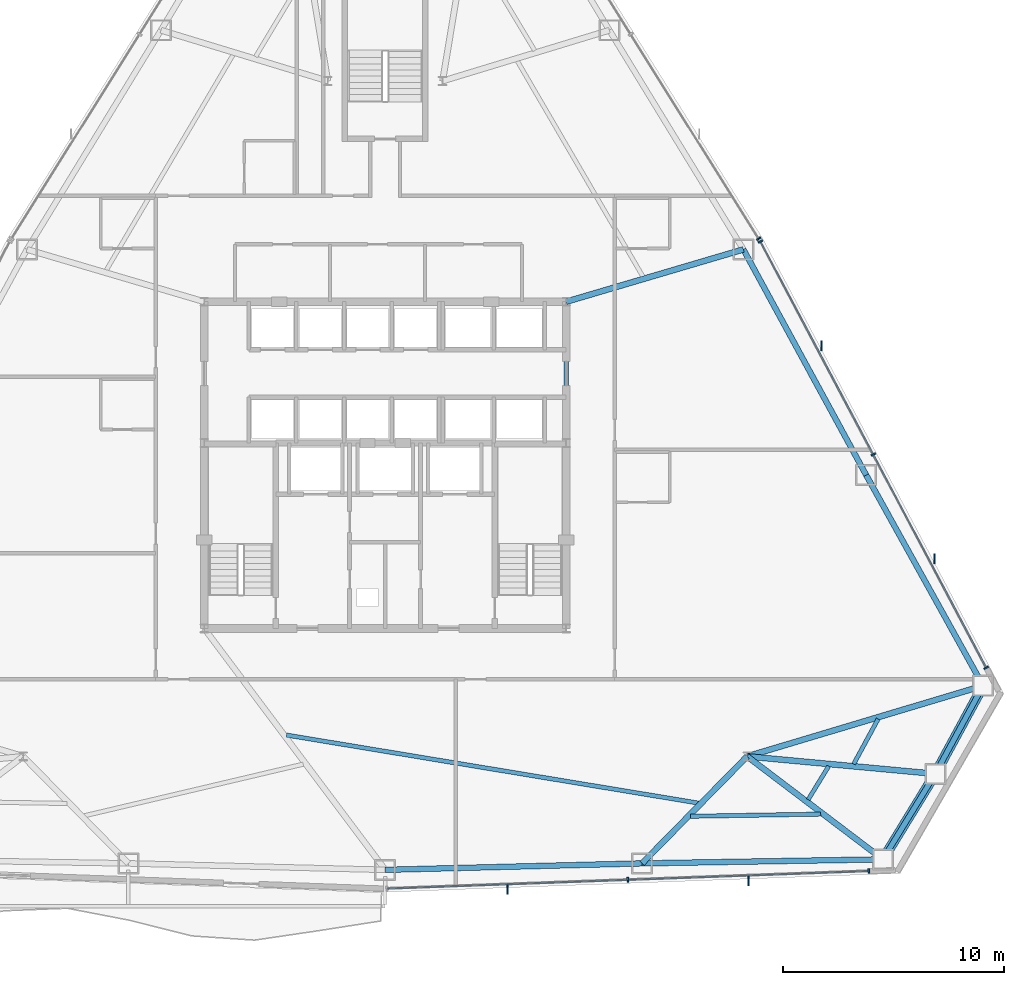
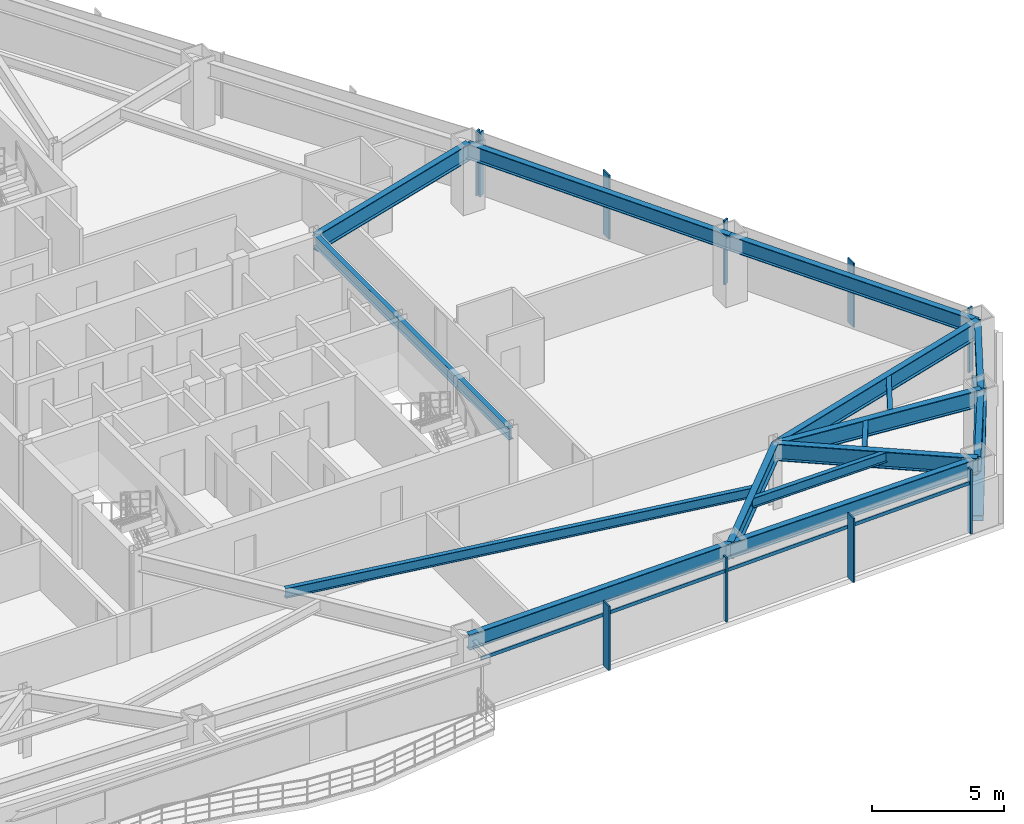
# One storey, part 6 of 13: 16 beams, 14 members, 3 elements without a shape of their own.
"""IFC4 building model written with IfcOpenShell, lengths in metres."""

from ifc_helpers import new_model, si_unit, direction, frame, origin, origin_2d, place, context, subcontext, project, spatial, rectangle, hollow_rectangle, i_section, extrude, source, transform, mapped, material, layer, layer_set, material_profile, profile_set, type_object, type_shapes, element, aggregate, save


model = new_model("IFC4")

# Units and contexts
model_context = context("Model", 3, precision=1e-05, world=origin(), true_north=direction((0.0, 1.0)))
body_context = subcontext(model_context, "Body", "Model", "MODEL_VIEW")
ifc_project = project(units=[si_unit("LENGTHUNIT", "METRE"), si_unit("AREAUNIT", "SQUARE_METRE"), si_unit("VOLUMEUNIT", "CUBIC_METRE"), si_unit("PLANEANGLEUNIT", "RADIAN"), si_unit("MASSUNIT", "GRAM", prefix="KILO")], contexts=[model_context])

# Site, building, storey
site_placement = place(None, origin())
site = spatial("IfcSite", under=ifc_project, at=site_placement, CompositionType="ELEMENT")
building_placement = place(site_placement, origin())
building = spatial("IfcBuilding", under=site, at=building_placement, Name="Varakhsha Concourse Tower", CompositionType="ELEMENT")
storey_placement = place(building_placement, frame((0.0, 0.0, 99.0)))
storey = spatial("IfcBuildingStorey", under=building, at=storey_placement, Name="L28", CompositionType="ELEMENT", Elevation=99.0)

# Beams
ifc_material_1 = material(Name="Structural Steel ASTM A992 Grade 50", Category="steel")
ifc_material_profile_1 = material_profile(ifc_material_1, i_section(OverallWidth=0.26611328125, OverallDepth=0.779052734375, WebThickness=0.01708984375, FlangeThickness=0.030029296875, at=origin_2d()), Name="W30X148")
ifc_profile_set_1 = profile_set([ifc_material_profile_1], Name="Structural Steel ASTM A992 Grade 50")
beam_type_1 = type_object("IfcBeamType", Name="BM-BASE-W30X148", PredefinedType="USERDEFINED", material=ifc_profile_set_1)
beam_1_placement = place(storey_placement, frame((56.39990234375, 10.60009765625, 2.58056640625), z_axis=(-0.701063539326, -0.713098810704, 0.0), x_axis=(0.713098810704, -0.701063539326, 0.0)))
element("IfcBeam", 1, at=beam_1_placement, inside=storey, type_object=beam_type_1, Name="L28 Radial Floor Girder 12", ObjectType="GIRDER", PredefinedType="USERDEFINED", context=body_context, shape_type="SweptSolid", body=[
    extrude(i_section(OverallWidth=0.26611328125, OverallDepth=0.779052734375, WebThickness=0.01708984375, FlangeThickness=0.030029296875, at=origin_2d()), origin(), (0.0, 0.0, 1.0), 6.795654296875),
])
beam_2_placement = place(storey_placement, frame((56.39990234375, 10.60009765625, 2.58056640625), z_axis=(0.79681521448, -0.604223066403, 0.0), x_axis=(0.604223066403, 0.79681521448, 0.0)))
element("IfcBeam", 2, at=beam_2_placement, inside=storey, type_object=beam_type_1, Name="L28 Radial Floor Girder 13", ObjectType="GIRDER", PredefinedType="USERDEFINED", context=body_context, shape_type="SweptSolid", body=[
    extrude(i_section(OverallWidth=0.26611328125, OverallDepth=0.779052734375, WebThickness=0.01708984375, FlangeThickness=0.030029296875, at=origin_2d()), origin(), (0.0, 0.0, 1.0), 7.717529296875),
])
beam_3_placement = place(storey_placement, frame((56.39990234375, 10.60009765625, 2.58056640625), z_axis=(0.995734610944, -0.092263668731, 0.0), x_axis=(0.092263668731, 0.995734610944, 0.0)))
element("IfcBeam", 3, at=beam_3_placement, inside=storey, type_object=beam_type_1, Name="L28 Radial Floor Girder 14", ObjectType="GIRDER", PredefinedType="USERDEFINED", context=body_context, shape_type="SweptSolid", body=[
    extrude(i_section(OverallWidth=0.26611328125, OverallDepth=0.779052734375, WebThickness=0.01708984375, FlangeThickness=0.030029296875, at=origin_2d()), origin(), (0.0, 0.0, 1.0), 8.560302734375),
])
beam_4_placement = place(storey_placement, frame((56.39990234375, 10.60009765625, 2.58056640625), z_axis=(0.957930379652, 0.287000675505, 0.0), x_axis=(-0.287000675505, 0.957930379652, 0.0)))
element("IfcBeam", 4, at=beam_4_placement, inside=storey, type_object=beam_type_1, Name="L28 Radial Floor Girder 15", ObjectType="GIRDER", PredefinedType="USERDEFINED", context=body_context, shape_type="SweptSolid", body=[
    extrude(i_section(OverallWidth=0.26611328125, OverallDepth=0.779052734375, WebThickness=0.01708984375, FlangeThickness=0.030029296875, at=origin_2d()), origin(), (0.0, 0.0, 1.0), 11.16064453125),
])
beam_5_placement = place(storey_placement, frame((48.199951171875, 31.199951171875, 2.58056640625), z_axis=(0.959108264711, 0.283039461143, 0.0), x_axis=(-0.283039461143, 0.959108264711, 0.0)))
element("IfcBeam", 5, at=beam_5_placement, inside=storey, type_object=beam_type_1, Name="L28 Radial Floor Girder 17", ObjectType="GIRDER", PredefinedType="USERDEFINED", context=body_context, shape_type="SweptSolid", body=[
    extrude(i_section(OverallWidth=0.26611328125, OverallDepth=0.779052734375, WebThickness=0.01708984375, FlangeThickness=0.030029296875, at=origin_2d()), origin(), (0.0, 0.0, 1.0), 8.370361328125),
])
ifc_material_profile_2 = material_profile(ifc_material_1, i_section(OverallWidth=0.19091796875, OverallDepth=0.45703125, WebThickness=0.009033203125, FlangeThickness=0.013916015625, at=origin_2d()), Name="W18X50")
ifc_profile_set_2 = profile_set([ifc_material_profile_2], Name="Structural Steel ASTM A992 Grade 50")
beam_type_2 = type_object("IfcBeamType", Name="BM-JST-W18X50", PredefinedType="JOIST", material=ifc_profile_set_2)
beam_6_placement = place(storey_placement, frame((35.5166015625, 11.569091796875, 2.741455078125), z_axis=(0.986648558625, -0.162863813547, 0.0), x_axis=(0.162863813547, 0.986648558625, 0.0)))
element("IfcBeam", 6, at=beam_6_placement, inside=storey, type_object=beam_type_2, Name="BM-TJST-L28-11", PredefinedType="JOIST", context=body_context, shape_type="SweptSolid", body=[
    extrude(i_section(OverallWidth=0.19091796875, OverallDepth=0.45703125, WebThickness=0.009033203125, FlangeThickness=0.013916015625, at=origin_2d()), origin(), (0.0, 0.0, 1.0), 18.931396484375),
])
beam_7_placement = place(storey_placement, frame((53.842041015625, 7.88818359375, 2.741455078125), z_axis=(0.999859894616, 0.016738910883, 0.0), x_axis=(-0.016738910883, 0.999859894616, 0.0)))
element("IfcBeam", 7, at=beam_7_placement, inside=storey, type_object=beam_type_2, Name="BM-TJST-L28-12", PredefinedType="JOIST", context=body_context, shape_type="SweptSolid", body=[
    extrude(i_section(OverallWidth=0.19091796875, OverallDepth=0.45703125, WebThickness=0.009033203125, FlangeThickness=0.013916015625, at=origin_2d()), origin(), (0.0, 0.0, 1.0), 5.892333984375),
])
beam_8_placement = place(storey_placement, frame((59.1630859375, 8.64208984375, 2.741455078125), z_axis=(0.52272616907, 0.852500646433, 0.0), x_axis=(-0.852500646433, 0.52272616907, 0.0)))
element("IfcBeam", 8, at=beam_8_placement, inside=storey, type_object=beam_type_2, Name="BM-TJST-L28-13", PredefinedType="JOIST", context=body_context, shape_type="SweptSolid", body=[
    extrude(i_section(OverallWidth=0.19091796875, OverallDepth=0.45703125, WebThickness=0.009033203125, FlangeThickness=0.013916015625, at=origin_2d()), origin(), (0.0, 0.0, 1.0), 1.779052734375),
])
beam_9_placement = place(storey_placement, frame((61.2255859375, 10.25439453125, 2.741455078125), z_axis=(0.47708490889, 0.878857206667, 0.0), x_axis=(-0.878857206667, 0.47708490889, 0.0)))
element("IfcBeam", 9, at=beam_9_placement, inside=storey, type_object=beam_type_2, Name="BM-TJST-L28-14", PredefinedType="JOIST", context=body_context, shape_type="SweptSolid", body=[
    extrude(i_section(OverallWidth=0.19091796875, OverallDepth=0.45703125, WebThickness=0.009033203125, FlangeThickness=0.013916015625, at=origin_2d()), origin(), (0.0, 0.0, 1.0), 2.32421875),
])
ifc_material_profile_3 = material_profile(ifc_material_1, i_section(OverallWidth=0.2109375, OverallDepth=0.5390625, WebThickness=0.011962890625, FlangeThickness=0.01904296875, at=origin_2d()), Name="W21X73")
ifc_profile_set_3 = profile_set([ifc_material_profile_3], Name="Structural Steel ASTM A992 Grade 50")
beam_type_3 = type_object("IfcBeamType", Name="BM-RAD-W21X73", PredefinedType="BEAM", material=ifc_profile_set_3)
beam_10_placement = place(storey_placement, frame((48.199951171875, 16.39990234375, 2.700439453125), z_axis=(0.0, 1.0, 0.0), x_axis=(-1.0, 0.0, 0.0)))
element("IfcBeam", 10, at=beam_10_placement, inside=storey, type_object=beam_type_3, Name="BM-TCORE-L28-CE", PredefinedType="BEAM", context=body_context, shape_type="SweptSolid", body=[
    extrude(i_section(OverallWidth=0.2109375, OverallDepth=0.5390625, WebThickness=0.011962890625, FlangeThickness=0.01904296875, at=origin_2d()), origin(), (0.0, 0.0, 1.0), 14.800048828125),
])
ifc_material_profile_4 = material_profile(ifc_material_1, i_section(OverallWidth=0.25390625, OverallDepth=0.701904296875, WebThickness=0.014892578125, FlangeThickness=0.028076171875, at=origin_2d()), Name="W27X129")
ifc_profile_set_4 = profile_set([ifc_material_profile_4], Name="Structural Steel ASTM A992 Grade 50")
beam_type_4 = type_object("IfcBeamType", Name="BM-SPAN-W27X129", PredefinedType="SPANDREL", material=ifc_profile_set_4)
beam_11_placement = place(storey_placement, frame((40.0, 5.46142578125, 2.618896484375), z_axis=(0.99968370363, 0.025149407483, 0.0), x_axis=(-0.025149407483, 0.99968370363, 0.0)))
element("IfcBeam", 11, at=beam_11_placement, inside=storey, type_object=beam_type_4, Name="BM-SPAN-L28-11", PredefinedType="SPANDREL", context=body_context, shape_type="SweptSolid", body=[
    extrude(i_section(OverallWidth=0.25390625, OverallDepth=0.701904296875, WebThickness=0.014892578125, FlangeThickness=0.028076171875, at=origin_2d()), origin(), (0.0, 0.0, 1.0), 11.639404296875),
])
beam_12_placement = place(storey_placement, frame((51.6357421875, 5.754150390625, 2.618896484375), z_axis=(0.999859657794, 0.016753050953, 0.0), x_axis=(-0.016753050953, 0.999859657794, 0.0)))
element("IfcBeam", 12, at=beam_12_placement, inside=storey, type_object=beam_type_4, Name="BM-SPAN-L28-12", PredefinedType="SPANDREL", context=body_context, shape_type="SweptSolid", body=[
    extrude(i_section(OverallWidth=0.25390625, OverallDepth=0.701904296875, WebThickness=0.014892578125, FlangeThickness=0.028076171875, at=origin_2d()), origin(), (0.0, 0.0, 1.0), 10.9150390625),
])
beam_13_placement = place(storey_placement, frame((62.54931640625, 5.93701171875, 2.618896484375), z_axis=(0.522612462801, 0.852570357053, 0.0), x_axis=(-0.852570357053, 0.522612462801, 0.0)))
element("IfcBeam", 13, at=beam_13_placement, inside=storey, type_object=beam_type_4, Name="BM-SPAN-L28-13", PredefinedType="SPANDREL", context=body_context, shape_type="SweptSolid", body=[
    extrude(i_section(OverallWidth=0.25390625, OverallDepth=0.701904296875, WebThickness=0.014892578125, FlangeThickness=0.028076171875, at=origin_2d()), origin(), (0.0, 0.0, 1.0), 4.54296875),
])
beam_14_placement = place(storey_placement, frame((64.923583984375, 9.810302734375, 2.618896484375), z_axis=(0.47707407482, 0.878863087821, 0.0), x_axis=(-0.878863087821, 0.47707407482, 0.0)))
element("IfcBeam", 14, at=beam_14_placement, inside=storey, type_object=beam_type_4, Name="BM-SPAN-L28-14", PredefinedType="SPANDREL", context=body_context, shape_type="SweptSolid", body=[
    extrude(i_section(OverallWidth=0.25390625, OverallDepth=0.701904296875, WebThickness=0.014892578125, FlangeThickness=0.028076171875, at=origin_2d()), origin(), (0.0, 0.0, 1.0), 4.543212890625),
])
beam_15_placement = place(storey_placement, frame((67.091064453125, 13.80322265625, 2.618896484375), z_axis=(-0.485437813763, 0.874271198753, 0.0), x_axis=(-0.874271198753, -0.485437813763, 0.0)))
element("IfcBeam", 15, at=beam_15_placement, inside=storey, type_object=beam_type_4, Name="BM-SPAN-L28-15", PredefinedType="SPANDREL", context=body_context, shape_type="SweptSolid", body=[
    extrude(i_section(OverallWidth=0.25390625, OverallDepth=0.701904296875, WebThickness=0.014892578125, FlangeThickness=0.028076171875, at=origin_2d()), origin(), (0.0, 0.0, 1.0), 10.9150390625),
])
beam_16_placement = place(storey_placement, frame((61.79248046875, 23.345947265625, 2.618896484375), z_axis=(-0.478070108108, 0.878321678962, 0.0), x_axis=(-0.878321678962, -0.478070108108, 0.0)))
element("IfcBeam", 16, at=beam_16_placement, inside=storey, type_object=beam_type_4, Name="BM-SPAN-L28-16", PredefinedType="SPANDREL", context=body_context, shape_type="SweptSolid", body=[
    extrude(i_section(OverallWidth=0.25390625, OverallDepth=0.701904296875, WebThickness=0.014892578125, FlangeThickness=0.028076171875, at=origin_2d()), origin(), (0.0, 0.0, 1.0), 11.639404296875),
])

# Members
ifc_material_2 = material(Name="Structural Steel ASTM A500 Grade C", Category="steel")
ifc_material_profile_5 = material_profile(ifc_material_2, hollow_rectangle(XDim=0.449951171875, YDim=0.449951171875, WallThickness=0.01904296875, at=origin_2d()), Name="HSS 450x450x19")
ifc_profile_set_5 = profile_set([ifc_material_profile_5], Name="Structural Steel ASTM A500 Grade C")
member_type_1 = type_object("IfcMemberType", Name="MB-TUBE-HSS450", PredefinedType="BRACE", material=ifc_profile_set_5)
shared_shape_1 = source(origin(), body_context, "Body", "SweptSolid", [
    extrude(hollow_rectangle(XDim=0.449951171875, YDim=0.449951171875, WallThickness=0.01904296875, at=origin_2d()), origin(), (0.0, 0.0, 1.0), 5.209716796875),
])
member_1_placement = place(storey_placement, frame((62.54931640625, 5.93701171875, 0.1201171875), z_axis=(0.455739287831, 0.743475969299, 0.489433534407), x_axis=(-0.852570357053, 0.522612462801, 0.0)))
element("IfcMember", 17, at=member_1_placement, inside=storey, type_object=member_type_1, Name="L28 Wind-Corner Tube Brace B05", PredefinedType="BRACE", context=body_context, shape_type="MappedRepresentation", body=[
    mapped(shared_shape_1, transform((0.0, 0.0, 0.0), scale=1.0)),
])
shared_shape_2 = source(origin(), body_context, "Body", "SweptSolid", [
    extrude(hollow_rectangle(XDim=0.449951171875, YDim=0.449951171875, WallThickness=0.01904296875, at=origin_2d()), origin(), (0.0, 0.0, 1.0), 5.2099609375),
])
type_shapes(member_type_1, [shared_shape_1, shared_shape_2])
member_2_placement = place(storey_placement, frame((67.091064453125, 13.80322265625, 0.1201171875), z_axis=(-0.416032433517, -0.766412530994, 0.489416843394), x_axis=(0.878863087821, -0.47707407482, 0.0)))
element("IfcMember", 18, at=member_2_placement, inside=storey, type_object=member_type_1, Name="L28 Wind-Corner Tube Brace B06", PredefinedType="BRACE", context=body_context, shape_type="MappedRepresentation", body=[
    mapped(shared_shape_2, transform((0.0, 0.0, 0.0), scale=1.0)),
])

# Curtain wall, members
ifc_material_3 = material(Name="Anodised Bronze Architectural Aluminium AA 6063-T6", Category="aluminium")
ifc_layer = layer(ifc_material_3, 0.199951171875, Name="CW-SYS-03")
ifc_layer_set = layer_set([ifc_layer], Name="Anodised Bronze Architectural Aluminium AA 6063-T6")
curtain_wall_type = type_object("IfcCurtainWallType", Name="CW-SYS-03", PredefinedType="NOTDEFINED", material=ifc_layer_set)
curtain_wall_1_placement = place(storey_placement, origin())
curtain_wall_1 = element("IfcCurtainWall", 19, at=curtain_wall_1_placement, inside=storey, type_object=curtain_wall_type, Name="L28 Crystal Curtain Wall F6", PredefinedType="NOTDEFINED")
ifc_material_profile_6 = material_profile(ifc_material_3, rectangle(XDim=0.074951171875, YDim=0.219970703125, at=origin_2d()), Name="CWM-220X75")
ifc_profile_set_6 = profile_set([ifc_material_profile_6], Name="Anodised Bronze Architectural Aluminium AA 6063-T6")
member_type_2 = type_object("IfcMemberType", Name="CWM-220X75", PredefinedType="MULLION", material=ifc_profile_set_6)
shared_shape_3 = source(origin(), body_context, "Body", "SweptSolid", [
    extrude(rectangle(XDim=0.074951171875, YDim=0.219970703125, at=origin_2d()), origin(), (0.0, 0.0, 1.0), 2.969970703125),
])
type_shapes(member_type_2, [shared_shape_3])
member_3_placement = place(storey_placement, frame((61.910888671875, 5.408203125, 0.0), z_axis=(0.0, 0.0, 1.0), x_axis=(-0.999336427987, -0.03642394403, 0.0)))
member_3 = element("IfcMember", 20, at=member_3_placement, type_object=member_type_2, Name="CW-L28-F6 Mullion 00", PredefinedType="MULLION", context=body_context, shape_type="MappedRepresentation", body=[
    mapped(shared_shape_3, transform((0.0, 0.0, 0.0), scale=1.0)),
])
member_4_placement = place(storey_placement, frame((50.992431640625, 5.01025390625, 0.0), z_axis=(0.0, 0.0, 1.0), x_axis=(-0.999336427987, -0.03642394403, 0.0)))
member_4 = element("IfcMember", 21, at=member_4_placement, type_object=member_type_2, Name="CW-L28-F6 Mullion 01", PredefinedType="MULLION", context=body_context, shape_type="MappedRepresentation", body=[
    mapped(shared_shape_3, transform((0.0, 0.0, 0.0), scale=1.0)),
])

curtain_wall_2_placement = place(storey_placement, origin())
curtain_wall_2 = element("IfcCurtainWall", 22, at=curtain_wall_2_placement, inside=storey, type_object=curtain_wall_type, Name="L28 Crystal Curtain Wall F8", PredefinedType="NOTDEFINED")
member_5_placement = place(storey_placement, frame((57.00048828125, 33.9296875, 0.0), z_axis=(0.0, 0.0, 1.0), x_axis=(0.468124153157, -0.883662705579, 0.0)))
member_5 = element("IfcMember", 23, at=member_5_placement, type_object=member_type_2, Name="CW-L28-F8 Mullion 00", PredefinedType="MULLION", context=body_context, shape_type="MappedRepresentation", body=[
    mapped(shared_shape_3, transform((0.0, 0.0, 0.0), scale=1.0)),
])
member_6_placement = place(storey_placement, frame((62.114990234375, 24.275146484375, 0.0), z_axis=(0.0, 0.0, 1.0), x_axis=(0.468124153157, -0.883662705579, 0.0)))
member_6 = element("IfcMember", 24, at=member_6_placement, type_object=member_type_2, Name="CW-L28-F8 Mullion 01", PredefinedType="MULLION", context=body_context, shape_type="MappedRepresentation", body=[
    mapped(shared_shape_3, transform((0.0, 0.0, 0.0), scale=1.0)),
])
member_7_placement = place(storey_placement, frame((67.2294921875, 14.62060546875, 0.0), z_axis=(0.0, 0.0, 1.0), x_axis=(0.468124153157, -0.883662705579, 0.0)))
member_7 = element("IfcMember", 25, at=member_7_placement, type_object=member_type_2, Name="CW-L28-F8 Mullion 02", PredefinedType="MULLION", context=body_context, shape_type="MappedRepresentation", body=[
    mapped(shared_shape_3, transform((0.0, 0.0, 0.0), scale=1.0)),
])

# Curtain wall, member
curtain_wall_3_placement = place(storey_placement, origin())
curtain_wall_3 = element("IfcCurtainWall", 26, at=curtain_wall_3_placement, inside=storey, type_object=curtain_wall_type, Name="L28 Crystal Curtain Wall F9", PredefinedType="NOTDEFINED")
member_8_placement = place(storey_placement, frame((56.92626953125, 34.05810546875, 0.0), z_axis=(0.0, 0.0, 1.0), x_axis=(0.531209317405, -0.847240615824, 0.0)))
member_8 = element("IfcMember", 27, at=member_8_placement, type_object=member_type_2, Name="CW-L28-F9 Mullion 02", PredefinedType="MULLION", context=body_context, shape_type="MappedRepresentation", body=[
    mapped(shared_shape_3, transform((0.0, 0.0, 0.0), scale=1.0)),
])
aggregate(curtain_wall_3, [member_8])

# Member
ifc_material_profile_7 = material_profile(ifc_material_3, rectangle(XDim=0.06494140625, YDim=0.449951171875, at=origin_2d()), Name="FIN-BRZ-450")
ifc_profile_set_7 = profile_set([ifc_material_profile_7], Name="Anodised Bronze Architectural Aluminium AA 6063-T6")
member_type_3 = type_object("IfcMemberType", Name="FIN-BRZ-450", PredefinedType="USERDEFINED", material=ifc_profile_set_7)
shared_shape_4 = source(origin(), body_context, "Body", "SweptSolid", [
    extrude(rectangle(XDim=0.06494140625, YDim=0.449951171875, at=origin_2d()), origin(), (0.0, 0.0, 1.0), 2.969970703125),
])
type_shapes(member_type_3, [shared_shape_4])
member_9_placement = place(storey_placement, frame((56.46044921875, 4.969482421875, 0.0), z_axis=(0.0, 0.0, 1.0), x_axis=(1.0, 0.0, 0.0)))
member_9 = element("IfcMember", 28, at=member_9_placement, type_object=member_type_3, Name="L28 Anodised Bronze Solar Fin F6-1", ObjectType="SOLAR FIN", PredefinedType="USERDEFINED", context=body_context, shape_type="MappedRepresentation", body=[
    mapped(shared_shape_4, transform((0.0, 0.0, 0.0), scale=1.0)),
])

member_10_placement = place(storey_placement, frame((45.5419921875, 4.5712890625, 0.0), z_axis=(0.0, 0.0, 1.0), x_axis=(1.0, 0.0, 0.0)))
member_10 = element("IfcMember", 29, at=member_10_placement, type_object=member_type_3, Name="L28 Anodised Bronze Solar Fin F6-2", ObjectType="SOLAR FIN", PredefinedType="USERDEFINED", context=body_context, shape_type="MappedRepresentation", body=[
    mapped(shared_shape_4, transform((0.0, 0.0, 0.0), scale=1.0)),
])

member_11_placement = place(storey_placement, frame((59.77001953125, 29.214599609375, 0.0), z_axis=(0.0, 0.0, 1.0), x_axis=(1.0, 0.0, 0.0)))
member_11 = element("IfcMember", 30, at=member_11_placement, type_object=member_type_3, Name="L28 Anodised Bronze Solar Fin F8-1", ObjectType="SOLAR FIN", PredefinedType="USERDEFINED", context=body_context, shape_type="MappedRepresentation", body=[
    mapped(shared_shape_4, transform((0.0, 0.0, 0.0), scale=1.0)),
])

member_12_placement = place(storey_placement, frame((64.884521484375, 19.56005859375, 0.0), z_axis=(0.0, 0.0, 1.0), x_axis=(1.0, 0.0, 0.0)))
member_12 = element("IfcMember", 31, at=member_12_placement, type_object=member_type_3, Name="L28 Anodised Bronze Solar Fin F8-2", ObjectType="SOLAR FIN", PredefinedType="USERDEFINED", context=body_context, shape_type="MappedRepresentation", body=[
    mapped(shared_shape_4, transform((0.0, 0.0, 0.0), scale=1.0)),
])

ifc_material_profile_8 = material_profile(ifc_material_3, rectangle(XDim=0.06494140625, YDim=0.159912109375, at=origin_2d()), Name="CWT-160X65")
ifc_profile_set_8 = profile_set([ifc_material_profile_8], Name="Anodised Bronze Architectural Aluminium AA 6063-T6")
member_type_4 = type_object("IfcMemberType", Name="CWT-160X65", PredefinedType="USERDEFINED", material=ifc_profile_set_8)
shared_shape_5 = source(origin(), body_context, "Body", "SweptSolid", [
    extrude(rectangle(XDim=0.06494140625, YDim=0.159912109375, at=origin_2d()), origin(), (0.0, 0.0, 1.0), 21.85107421875),
])
type_shapes(member_type_4, [shared_shape_5])
member_13_placement = place(storey_placement, frame((61.910888671875, 5.408203125, 2.320068359375), z_axis=(-0.999336440224, -0.036423608277, 0.0), x_axis=(0.036423608277, -0.999336440224, 0.0)))
member_13 = element("IfcMember", 32, at=member_13_placement, type_object=member_type_4, Name="CW-L28-F6 Transom 01", ObjectType="TRANSOM", PredefinedType="USERDEFINED", context=body_context, shape_type="MappedRepresentation", body=[
    mapped(shared_shape_5, transform((0.0, 0.0, 0.0), scale=1.0)),
])

aggregate(curtain_wall_1, [member_3, member_4, member_13, member_9, member_10])

member_14_placement = place(storey_placement, frame((57.00048828125, 33.9296875, 2.320068359375), z_axis=(0.468121791174, -0.883663956846, 0.0), x_axis=(0.883663956846, 0.468121791174, 0.0)))
member_14 = element("IfcMember", 33, at=member_14_placement, type_object=member_type_4, Name="CW-L28-F8 Transom 01", ObjectType="TRANSOM", PredefinedType="USERDEFINED", context=body_context, shape_type="MappedRepresentation", body=[
    mapped(shared_shape_5, transform((0.0, 0.0, 0.0), scale=1.0)),
])

aggregate(curtain_wall_2, [member_5, member_6, member_7, member_14, member_11, member_12])

save(model, "model.ifc")
